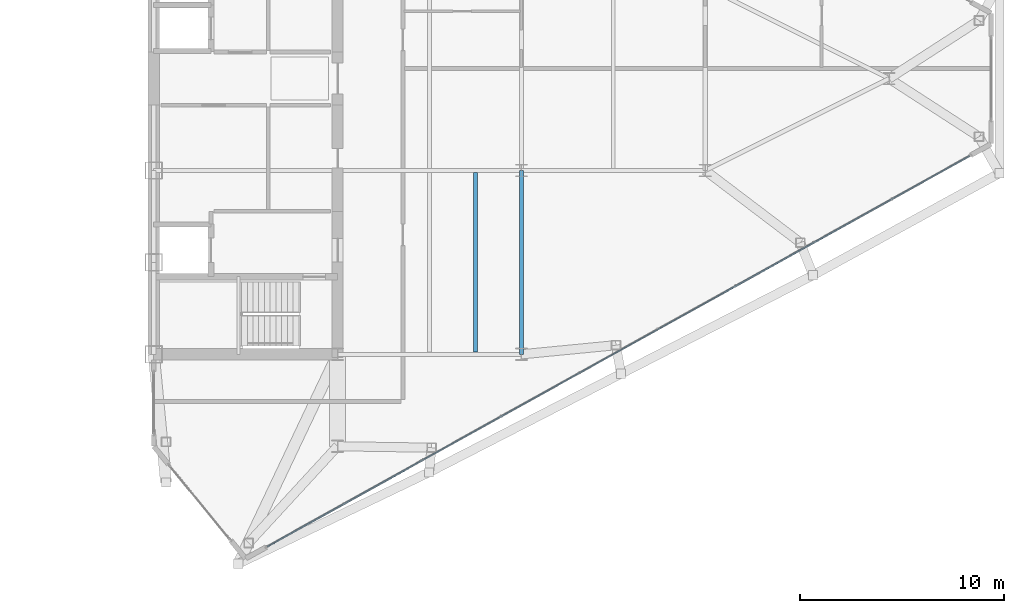
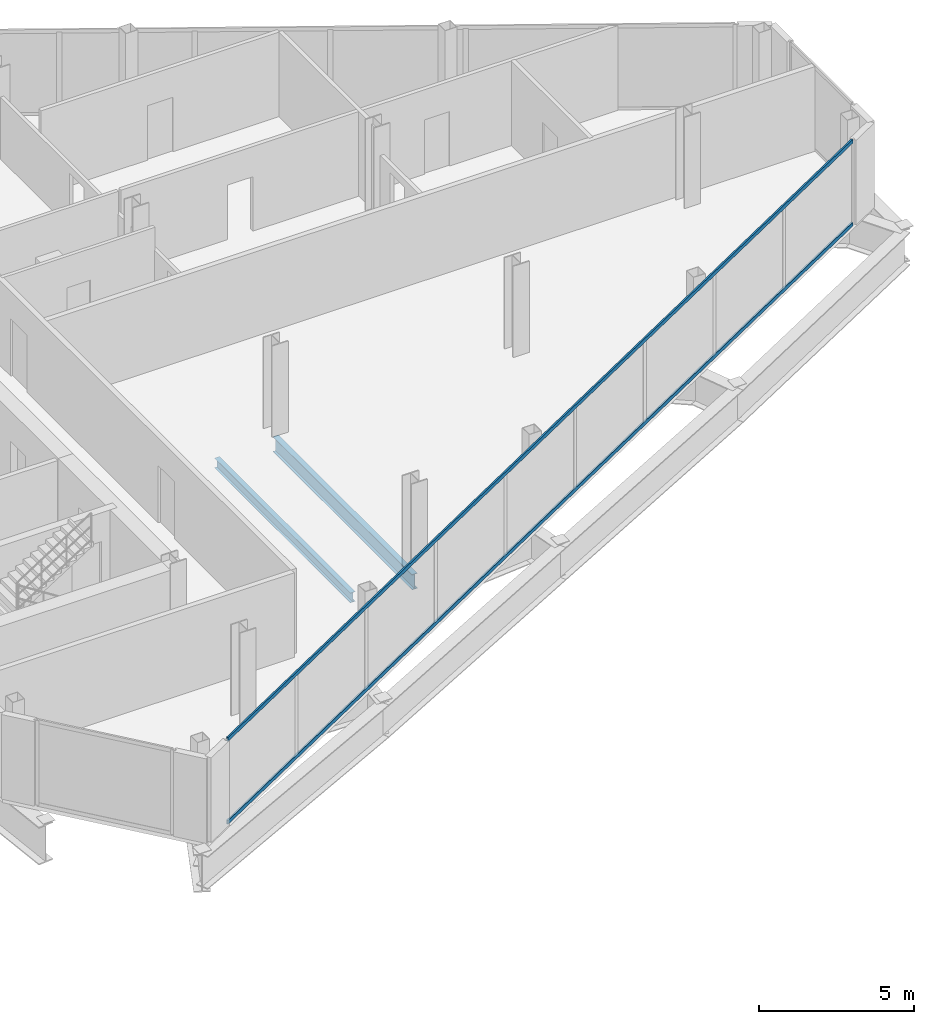
# One storey, part 12 of 28: 2 beams, 2 members, 1 element without a shape of its own.
"""IFC4 building model written with IfcOpenShell, lengths in metres."""

from ifc_helpers import new_model, si_unit, direction, frame, origin, origin_2d, place, context, subcontext, project, spatial, rectangle, i_section, extrude, source, transform, mapped, material, layer, layer_set, material_profile, profile_set, type_object, type_shapes, element, aggregate, save


model = new_model("IFC4")

# Units and contexts
model_context = context("Model", 3, precision=1e-05, world=origin(), true_north=direction((0.0, 1.0)))
body_context = subcontext(model_context, "Body", "Model", "MODEL_VIEW")
ifc_project = project(units=[si_unit("LENGTHUNIT", "METRE"), si_unit("AREAUNIT", "SQUARE_METRE"), si_unit("VOLUMEUNIT", "CUBIC_METRE"), si_unit("PLANEANGLEUNIT", "RADIAN"), si_unit("MASSUNIT", "GRAM", prefix="KILO")], contexts=[model_context])

# Site, building, storey
site_placement = place(None, origin())
site = spatial("IfcSite", under=ifc_project, at=site_placement, CompositionType="ELEMENT")
building_placement = place(site_placement, origin())
building = spatial("IfcBuilding", under=site, at=building_placement, Name="Seokmaru Belvedere", CompositionType="ELEMENT")
storey_placement = place(building_placement, frame((0.0, 0.0, 158.39990234375)))
storey = spatial("IfcBuildingStorey", under=building, at=storey_placement, Name="L42", CompositionType="ELEMENT", Elevation=158.39990234375)

# Beams
ifc_material_1 = material(Name="Steel SM355 (355 MPa)", Category="steel")
ifc_material_profile_1 = material_profile(ifc_material_1, i_section(OverallWidth=0.199951171875, OverallDepth=0.60009765625, WebThickness=0.010986328125, FlangeThickness=0.01708984375, at=origin_2d()), Name="H-600x200x11x17")
ifc_profile_set_1 = profile_set([ifc_material_profile_1], Name="Steel SM355 (355 MPa)")
beam_type_1 = type_object("IfcBeamType", Name="Primary Floor Girder H-600", PredefinedType="BEAM", material=ifc_profile_set_1)
shared_shape_1 = source(origin(), body_context, "Body", "SweptSolid", [
    extrude(i_section(OverallWidth=0.199951171875, OverallDepth=0.60009765625, WebThickness=0.010986328125, FlangeThickness=0.01708984375, at=origin_2d()), origin(), (0.0, 0.0, 1.0), 9.0),
])
type_shapes(beam_type_1, [shared_shape_1])
beam_1_placement = place(storey_placement, frame((45.5, -13.5, -0.52001953125), z_axis=(0.0, 1.0, 0.0), x_axis=(-1.0, 0.0, 0.0)))
element("IfcBeam", 1, at=beam_1_placement, inside=storey, type_object=beam_type_1, Name="L42 E Interior Grid Girder 1", PredefinedType="BEAM", context=body_context, shape_type="MappedRepresentation", body=[
    mapped(shared_shape_1, transform((0.0, 0.0, 0.0), scale=1.0)),
])
ifc_material_profile_2 = material_profile(ifc_material_1, i_section(OverallWidth=0.18505859375, OverallDepth=0.389892578125, WebThickness=0.008056640625, FlangeThickness=0.011962890625, at=origin_2d()), Name="H-390x185x8x12")
ifc_profile_set_2 = profile_set([ifc_material_profile_2], Name="Steel SM355 (355 MPa)")
beam_type_2 = type_object("IfcBeamType", Name="Secondary Floor Joist H-350", PredefinedType="JOIST", material=ifc_profile_set_2)
shared_shape_2 = source(origin(), body_context, "Body", "SweptSolid", [
    extrude(i_section(OverallWidth=0.18505859375, OverallDepth=0.389892578125, WebThickness=0.008056640625, FlangeThickness=0.011962890625, at=origin_2d()), origin(), (0.0, 0.0, 1.0), 8.7900390625),
])
type_shapes(beam_type_2, [shared_shape_2])
beam_2_placement = place(storey_placement, frame((43.25, -13.39501953125, -0.414794921875), z_axis=(0.0, 1.0, 0.0), x_axis=(-1.0, 0.0, 0.0)))
element("IfcBeam", 2, at=beam_2_placement, inside=storey, type_object=beam_type_2, Name="L42 E Wing Inner Secondary Joist 1", PredefinedType="JOIST", context=body_context, shape_type="MappedRepresentation", body=[
    mapped(shared_shape_2, transform((0.0, 0.0, 0.0), scale=1.0)),
])

# Curtain wall, members
ifc_material_2 = material(Name="Bronze Triple Insulating Glass", Category="glass")
ifc_layer = layer(ifc_material_2, 0.179931640625)
ifc_layer_set = layer_set([ifc_layer], Name="Bronze Triple Insulating Glass")
curtain_wall_type = type_object("IfcCurtainWallType", Name="High-Rise Wind-Corner Curtain Wall System CW-5", PredefinedType="NOTDEFINED", material=ifc_layer_set)
curtain_wall_placement = place(storey_placement, origin())
curtain_wall = element("IfcCurtainWall", 3, at=curtain_wall_placement, inside=storey, type_object=curtain_wall_type, Name="L42 Curtain Wall EF1", PredefinedType="NOTDEFINED")
ifc_material_3 = material(Name="Anodised Bronze Aluminium", Category="aluminium")
ifc_material_profile_3 = material_profile(ifc_material_3, rectangle(XDim=0.06494140625, YDim=0.14990234375, at=origin_2d()), Name="CW-T-65x150")
ifc_profile_set_3 = profile_set([ifc_material_profile_3], Name="Anodised Bronze Aluminium")
member_type = type_object("IfcMemberType", Name="Bronze Unitised Transom 65x150", PredefinedType="USERDEFINED", material=ifc_profile_set_3)
shared_shape_3 = source(origin(), body_context, "Body", "SweptSolid", [
    extrude(rectangle(XDim=0.06494140625, YDim=0.14990234375, at=origin_2d()), origin(), (0.0, 0.0, 1.0), 39.33544921875),
])
type_shapes(member_type, [shared_shape_3])
member_1_placement = place(storey_placement, frame((33.061767578125, -22.909423828125, 0.03271484375), z_axis=(0.873932045133, 0.486048125693, 0.0), x_axis=(-0.486048125693, 0.873932045133, 0.0)))
member_1 = element("IfcMember", 4, at=member_1_placement, type_object=member_type, Name="CW:L42:EF1 Continuous Transom 1", ObjectType="TRANSOM", PredefinedType="USERDEFINED", context=body_context, shape_type="MappedRepresentation", body=[
    mapped(shared_shape_3, transform((0.0, 0.0, 0.0), scale=1.0)),
])
member_2_placement = place(storey_placement, frame((33.061767578125, -22.909423828125, 3.3076171875), z_axis=(0.873932045133, 0.486048125693, 0.0), x_axis=(-0.486048125693, 0.873932045133, 0.0)))
member_2 = element("IfcMember", 5, at=member_2_placement, type_object=member_type, Name="CW:L42:EF1 Continuous Transom 2", ObjectType="TRANSOM", PredefinedType="USERDEFINED", context=body_context, shape_type="MappedRepresentation", body=[
    mapped(shared_shape_3, transform((0.0, 0.0, 0.0), scale=1.0)),
])
aggregate(curtain_wall, [member_1, member_2])

save(model, "model.ifc")
